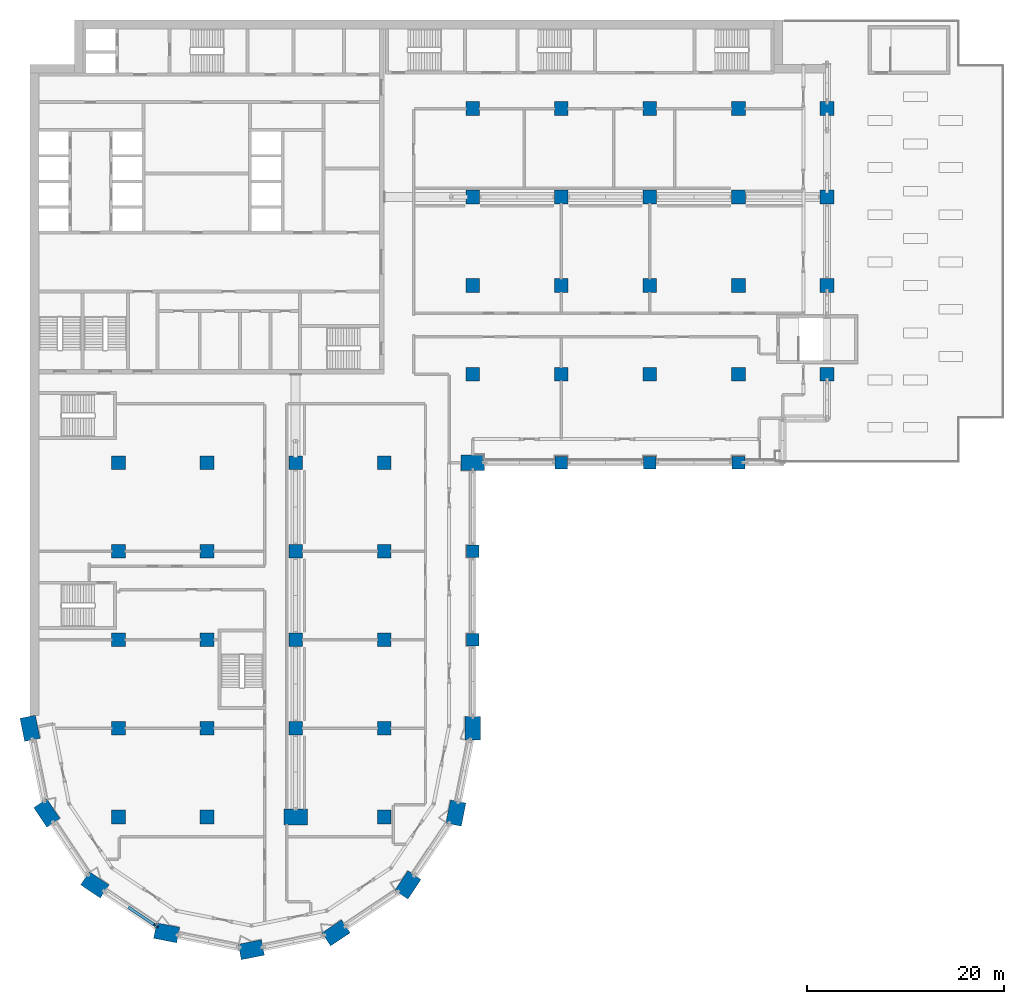
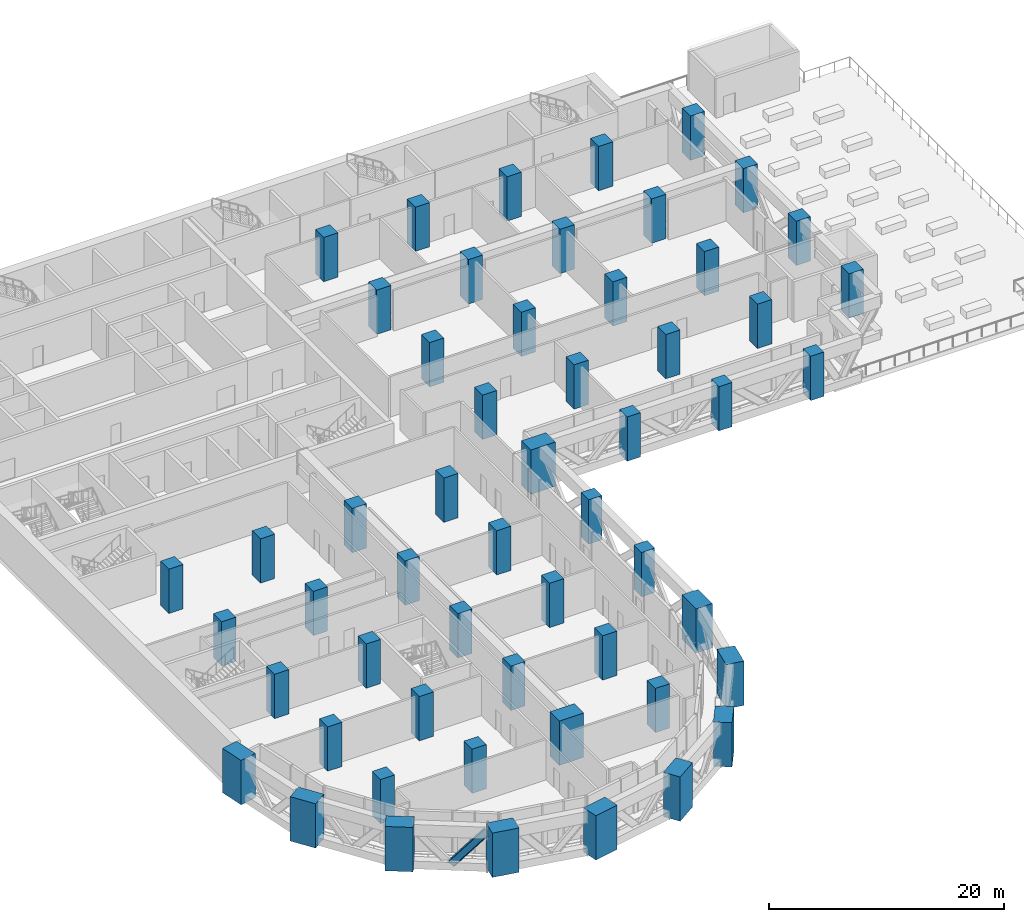
# One storey, part 1 of 24: 55 columns, 1 member.
"""IFC4 building model written with IfcOpenShell, lengths in metres."""

from ifc_helpers import new_model, si_unit, direction, frame, origin, origin_2d, place, context, subcontext, project, spatial, rectangle, i_section, extrude, material, material_profile, profile_set, type_object, element, save


model = new_model("IFC4")

# Units and contexts
model_context = context("Model", 3, precision=1e-05, world=origin(), true_north=direction((0.0, 1.0)))
body_context = subcontext(model_context, "Body", "Model", "MODEL_VIEW")
ifc_project = project(units=[si_unit("LENGTHUNIT", "METRE"), si_unit("AREAUNIT", "SQUARE_METRE"), si_unit("VOLUMEUNIT", "CUBIC_METRE"), si_unit("PLANEANGLEUNIT", "RADIAN"), si_unit("MASSUNIT", "GRAM", prefix="KILO")], contexts=[model_context])

# Site, building, storey
site_placement = place(None, origin())
site = spatial("IfcSite", under=ifc_project, at=site_placement, CompositionType="ELEMENT")
building_placement = place(site_placement, origin())
building = spatial("IfcBuilding", under=site, at=building_placement, Name="Hunhe Ridgeline Campus", CompositionType="ELEMENT")
storey_placement = place(building_placement, frame((0.0, 0.0, 80.199951171875)))
storey = spatial("IfcBuildingStorey", under=building, at=storey_placement, Name="L19", CompositionType="ELEMENT", Elevation=80.199951171875)

# Columns
ifc_material_1 = material(Name="Concrete C80", Category="concrete")
ifc_material_profile_1 = material_profile(ifc_material_1, rectangle(XDim=2.39990234375, YDim=1.60009765625, at=origin_2d()))
ifc_profile_set_1 = profile_set([ifc_material_profile_1], Name="Concrete C80")
column_type_1 = type_object("IfcColumnType", Name="Megacolumn 2400x1600 Concrete C80", PredefinedType="COLUMN", material=ifc_profile_set_1)
for number, where, z_axis, x_axis, name in (
    (1, (22.5, 4.5, 0.0), (0.0, 0.0, 1.0), (0.980785280403, 0.195090322016, 0.0), "Column C3 R1 L19"),
    (2, (13.8896484375, 6.212646484375, 0.0), (0.0, 0.0, 1.0), (-0.980785280403, 0.195090322016, 0.0), "Column C3 R2 L19"),
    (3, (31.1103515625, 6.212646484375, 0.0), (0.0, 0.0, 1.0), (0.831469612303, 0.55557023302, 0.0), "Column C3 R3 L19"),
    (4, (6.590087890625, 11.090087890625, 0.0), (0.0, 0.0, 1.0), (-0.831469612303, 0.55557023302, 0.0), "Column C3 R4 L19"),
    (5, (38.409912109375, 11.090087890625, 0.0), (0.0, 0.0, 1.0), (0.55557023302, 0.831469612303, 0.0), "Column C3 R5 L19"),
    (6, (1.712646484375, 18.3896484375, 0.0), (0.0, 0.0, 1.0), (-0.55557023302, 0.831469612303, 0.0), "Column C3 R9 L19"),
    (7, (43.287353515625, 18.3896484375, 0.0), (0.0, 0.0, 1.0), (0.195090322016, 0.980785280403, 0.0), "Column C3 R10 L19"),
    (8, (0.0, 27.0, 0.0), (0.0, 0.0, 1.0), (-0.195090322016, 0.980785280403, 0.0), "Column C3 D1 L19"),
    (9, (45.0, 27.0, 0.0), (0.0, 0.0, 1.0), (0.0, 1.0, 0.0), "Column C3 D6 L19"),
    (10, (45.0, 54.0, 0.0), (0.0, 0.0, 1.0), (1.0, 0.0, 0.0), "Column C3 G6 L19"),
    (11, (27.0, 18.0, 0.0), (0.0, 0.0, 1.0), (1.0, 0.0, 0.0), "Column C3 C4 L19"),
):
    element("IfcColumn", number, at=place(storey_placement, frame(where, z_axis=z_axis, x_axis=x_axis)), inside=storey, type_object=column_type_1, Name=name, PredefinedType="COLUMN", context=body_context, shape_type="SweptSolid", body=[
        extrude(rectangle(XDim=2.39990234375, YDim=1.60009765625, at=origin_2d()), origin(), (0.0, 0.0, 1.0), 4.60009765625),
    ])
ifc_material_profile_2 = material_profile(ifc_material_1, rectangle(XDim=1.300048828125, YDim=1.300048828125, at=origin_2d()))
ifc_profile_set_2 = profile_set([ifc_material_profile_2], Name="Concrete C80")
column_type_2 = type_object("IfcColumnType", Name="RC column 1300x1300 Concrete C80", PredefinedType="COLUMN", material=ifc_profile_set_2)
for number, where, z_axis, x_axis, name in (
    (12, (45.0, 36.0, 0.0), (0.0, 0.0, 1.0), (1.0, 0.0, 0.0), "Column C4 E6 L19"),
    (13, (45.0, 45.0, 0.0), (0.0, 0.0, 1.0), (1.0, 0.0, 0.0), "Column C4 F6 L19"),
    (14, (54.0, 54.0, 0.0), (0.0, 0.0, 1.0), (1.0, 0.0, 0.0), "Column C4 G7 L19"),
    (15, (63.0, 54.0, 0.0), (0.0, 0.0, 1.0), (1.0, 0.0, 0.0), "Column C4 G8 L19"),
    (16, (72.0, 54.0, 0.0), (0.0, 0.0, 1.0), (1.0, 0.0, 0.0), "Column C4 G9 L19"),
):
    element("IfcColumn", number, at=place(storey_placement, frame(where, z_axis=z_axis, x_axis=x_axis)), inside=storey, type_object=column_type_2, Name=name, PredefinedType="COLUMN", context=body_context, shape_type="SweptSolid", body=[
        extrude(rectangle(XDim=1.300048828125, YDim=1.300048828125, at=origin_2d()), origin(), (0.0, 0.0, 1.0), 4.60009765625),
    ])
ifc_material_profile_3 = material_profile(ifc_material_1, rectangle(XDim=1.39990234375, YDim=1.39990234375, at=origin_2d()))
ifc_profile_set_3 = profile_set([ifc_material_profile_3], Name="Concrete C80")
column_type_3 = type_object("IfcColumnType", Name="RC column 1400x1400 Concrete C80", PredefinedType="COLUMN", material=ifc_profile_set_3)
for number, where, z_axis, x_axis, name in (
    (17, (81.0, 63.0, 0.0), (0.0, 0.0, 1.0), (1.0, 0.0, 0.0), "Column C5 H10 L19"),
    (18, (81.0, 72.0, 0.0), (0.0, 0.0, 1.0), (1.0, 0.0, 0.0), "Column C5 I10 L19"),
    (19, (81.0, 81.0, 0.0), (0.0, 0.0, 1.0), (1.0, 0.0, 0.0), "Column C5 J10 L19"),
    (20, (81.0, 90.0, 0.0), (0.0, 0.0, 1.0), (1.0, 0.0, 0.0), "Column C5 K10 L19"),
    (21, (9.0, 18.0, 0.0), (0.0, 0.0, 1.0), (1.0, 0.0, 0.0), "Column C5 C2 L19"),
    (22, (9.0, 27.0, 0.0), (0.0, 0.0, 1.0), (1.0, 0.0, 0.0), "Column C5 D2 L19"),
    (23, (9.0, 36.0, 0.0), (0.0, 0.0, 1.0), (1.0, 0.0, 0.0), "Column C5 E2 L19"),
    (24, (9.0, 45.0, 0.0), (0.0, 0.0, 1.0), (1.0, 0.0, 0.0), "Column C5 F2 L19"),
    (25, (9.0, 54.0, 0.0), (0.0, 0.0, 1.0), (1.0, 0.0, 0.0), "Column C5 G2 L19"),
    (26, (18.0, 18.0, 0.0), (0.0, 0.0, 1.0), (1.0, 0.0, 0.0), "Column C5 C3 L19"),
    (27, (18.0, 27.0, 0.0), (0.0, 0.0, 1.0), (1.0, 0.0, 0.0), "Column C5 D3 L19"),
    (28, (18.0, 36.0, 0.0), (0.0, 0.0, 1.0), (1.0, 0.0, 0.0), "Column C5 E3 L19"),
    (29, (18.0, 45.0, 0.0), (0.0, 0.0, 1.0), (1.0, 0.0, 0.0), "Column C5 F3 L19"),
    (30, (18.0, 54.0, 0.0), (0.0, 0.0, 1.0), (1.0, 0.0, 0.0), "Column C5 G3 L19"),
    (31, (27.0, 27.0, 0.0), (0.0, 0.0, 1.0), (1.0, 0.0, 0.0), "Column C5 D4 L19"),
    (32, (27.0, 36.0, 0.0), (0.0, 0.0, 1.0), (1.0, 0.0, 0.0), "Column C5 E4 L19"),
    (33, (27.0, 45.0, 0.0), (0.0, 0.0, 1.0), (1.0, 0.0, 0.0), "Column C5 F4 L19"),
    (34, (27.0, 54.0, 0.0), (0.0, 0.0, 1.0), (1.0, 0.0, 0.0), "Column C5 G4 L19"),
    (35, (36.0, 18.0, 0.0), (0.0, 0.0, 1.0), (1.0, 0.0, 0.0), "Column C5 C5 L19"),
    (36, (36.0, 27.0, 0.0), (0.0, 0.0, 1.0), (1.0, 0.0, 0.0), "Column C5 D5 L19"),
    (37, (36.0, 36.0, 0.0), (0.0, 0.0, 1.0), (1.0, 0.0, 0.0), "Column C5 E5 L19"),
    (38, (36.0, 45.0, 0.0), (0.0, 0.0, 1.0), (1.0, 0.0, 0.0), "Column C5 F5 L19"),
    (39, (36.0, 54.0, 0.0), (0.0, 0.0, 1.0), (1.0, 0.0, 0.0), "Column C5 G5 L19"),
    (40, (45.0, 63.0, 0.0), (0.0, 0.0, 1.0), (1.0, 0.0, 0.0), "Column C5 H6 L19"),
    (41, (45.0, 72.0, 0.0), (0.0, 0.0, 1.0), (1.0, 0.0, 0.0), "Column C5 I6 L19"),
    (42, (45.0, 81.0, 0.0), (0.0, 0.0, 1.0), (1.0, 0.0, 0.0), "Column C5 J6 L19"),
    (43, (45.0, 90.0, 0.0), (0.0, 0.0, 1.0), (1.0, 0.0, 0.0), "Column C5 K6 L19"),
    (44, (54.0, 63.0, 0.0), (0.0, 0.0, 1.0), (1.0, 0.0, 0.0), "Column C5 H7 L19"),
    (45, (54.0, 72.0, 0.0), (0.0, 0.0, 1.0), (1.0, 0.0, 0.0), "Column C5 I7 L19"),
    (46, (54.0, 81.0, 0.0), (0.0, 0.0, 1.0), (1.0, 0.0, 0.0), "Column C5 J7 L19"),
    (47, (54.0, 90.0, 0.0), (0.0, 0.0, 1.0), (1.0, 0.0, 0.0), "Column C5 K7 L19"),
    (48, (63.0, 63.0, 0.0), (0.0, 0.0, 1.0), (1.0, 0.0, 0.0), "Column C5 H8 L19"),
    (49, (63.0, 72.0, 0.0), (0.0, 0.0, 1.0), (1.0, 0.0, 0.0), "Column C5 I8 L19"),
    (50, (63.0, 81.0, 0.0), (0.0, 0.0, 1.0), (1.0, 0.0, 0.0), "Column C5 J8 L19"),
    (51, (63.0, 90.0, 0.0), (0.0, 0.0, 1.0), (1.0, 0.0, 0.0), "Column C5 K8 L19"),
    (52, (72.0, 63.0, 0.0), (0.0, 0.0, 1.0), (1.0, 0.0, 0.0), "Column C5 H9 L19"),
    (53, (72.0, 72.0, 0.0), (0.0, 0.0, 1.0), (1.0, 0.0, 0.0), "Column C5 I9 L19"),
    (54, (72.0, 81.0, 0.0), (0.0, 0.0, 1.0), (1.0, 0.0, 0.0), "Column C5 J9 L19"),
    (55, (72.0, 90.0, 0.0), (0.0, 0.0, 1.0), (1.0, 0.0, 0.0), "Column C5 K9 L19"),
):
    element("IfcColumn", number, at=place(storey_placement, frame(where, z_axis=z_axis, x_axis=x_axis)), inside=storey, type_object=column_type_3, Name=name, PredefinedType="COLUMN", context=body_context, shape_type="SweptSolid", body=[
        extrude(rectangle(XDim=1.39990234375, YDim=1.39990234375, at=origin_2d()), origin(), (0.0, 0.0, 1.0), 4.60009765625),
    ])

# Member
ifc_material_2 = material(Name="Steel Q420", Category="steel")
ifc_material_profile_4 = material_profile(ifc_material_2, i_section(OverallWidth=0.300048828125, OverallDepth=0.699951171875, WebThickness=0.012939453125, FlangeThickness=0.02392578125, FilletRadius=0.01806640625, at=origin_2d()))
ifc_profile_set_4 = profile_set([ifc_material_profile_4], Name="Steel Q420")
member_type = type_object("IfcMemberType", Name="Belt truss diagonal HN700x300x13x24 Steel Q420", PredefinedType="BRACE", material=ifc_profile_set_4)
member_placement = place(storey_placement, frame((10.19873046875, 8.678955078125, 0.400146484375), z_axis=(0.546550636782, -0.365218893814, 0.753589782995), x_axis=(0.555596981897, 0.831451738652, 0.0)))
element("IfcMember", 56, at=member_placement, inside=storey, type_object=member_type, Name="Belt truss BT1 diagonal L19 12", PredefinedType="BRACE", context=body_context, shape_type="SweptSolid", body=[
    extrude(i_section(OverallWidth=0.300048828125, OverallDepth=0.699951171875, WebThickness=0.012939453125, FlangeThickness=0.02392578125, FilletRadius=0.01806640625, at=origin_2d()), origin(), (0.0, 0.0, 1.0), 4.77685546875),
])

save(model, "model.ifc")
